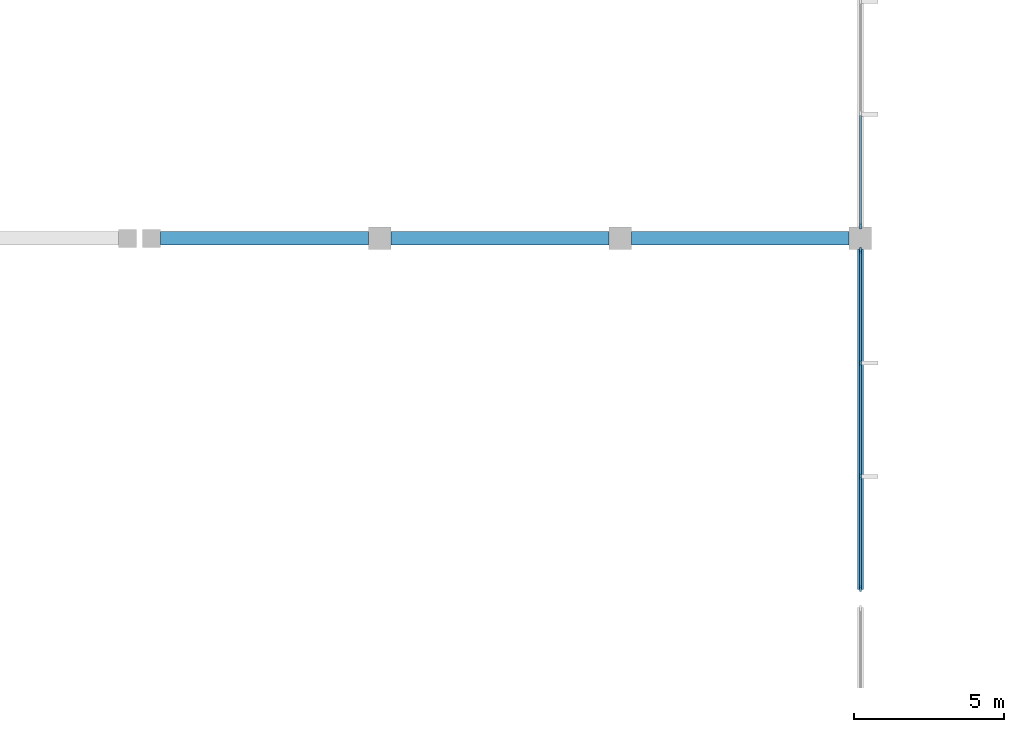
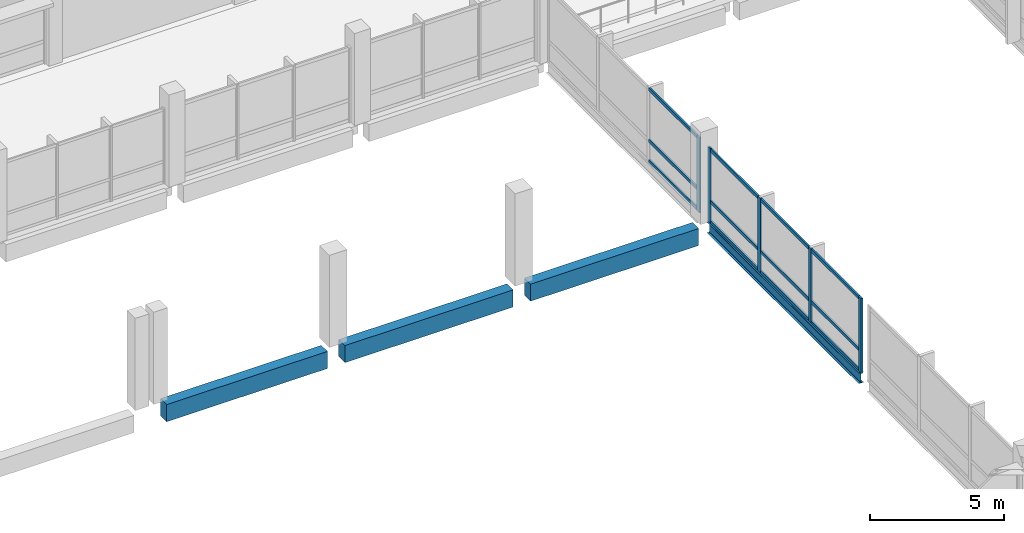
# One storey, part 15 of 70: 17 members, 4 beams, 2 elements without a shape of their own.
"""IFC4 building model written with IfcOpenShell, lengths in metres."""

from ifc_helpers import new_model, si_unit, direction, frame, origin, origin_2d, place, context, subcontext, project, spatial, rectangle, i_section, extrude, material, material_profile, profile_set, type_object, element, aggregate, save


model = new_model("IFC4")

# Units and contexts
model_context = context("Model", 3, precision=1e-05, world=origin(), true_north=direction((0.0, 1.0)))
body_context = subcontext(model_context, "Body", "Model", "MODEL_VIEW")
ifc_project = project(units=[si_unit("LENGTHUNIT", "METRE"), si_unit("AREAUNIT", "SQUARE_METRE"), si_unit("VOLUMEUNIT", "CUBIC_METRE"), si_unit("PLANEANGLEUNIT", "RADIAN"), si_unit("MASSUNIT", "GRAM", prefix="KILO"), si_unit("THERMODYNAMICTEMPERATUREUNIT", "KELVIN"), si_unit("POWERUNIT", "WATT")], contexts=[model_context])

# Site, building, storey
site_placement = place(None, origin())
site = spatial("IfcSite", under=ifc_project, at=site_placement, CompositionType="ELEMENT")
building_placement = place(site_placement, origin())
building = spatial("IfcBuilding", under=site, at=building_placement, Name="Kronsvod Quay Wholesale Market", CompositionType="ELEMENT")
storey_placement = place(building_placement, frame((0.0, 0.0, 9.0)))
storey = spatial("IfcBuildingStorey", under=building, at=storey_placement, Name="L02", CompositionType="ELEMENT", Elevation=9.0)

# Beams
ifc_material_1 = material(Name="Precast concrete C40/50", Category="concrete")
ifc_material_profile_1 = material_profile(ifc_material_1, rectangle(XDim=0.4599609375, YDim=0.780029296875, at=origin_2d()), Name="PB-03")
ifc_profile_set_1 = profile_set([ifc_material_profile_1], Name="Precast concrete C40/50")
beam_type_1 = type_object("IfcBeamType", Name="Beam_PCB460x780", PredefinedType="BEAM", material=ifc_profile_set_1)
beam_1_placement = place(storey_placement, frame((64.699951171875, 78.0, -0.64990234375), z_axis=(1.0, 0.0, 0.0), x_axis=(0.0, 1.0, 0.0)))
element("IfcBeam", 1, at=beam_1_placement, inside=storey, type_object=beam_type_1, Name="BMX-L02-644-780", PredefinedType="BEAM", context=body_context, shape_type="SweptSolid", body=[
    extrude(rectangle(XDim=0.4599609375, YDim=0.780029296875, at=origin_2d()), origin(), (0.0, 0.0, 1.0), 6.925048828125),
])
for number, where, z_axis, x_axis, name in (
    (2, (72.375, 78.0, -0.64990234375), (1.0, 0.0, 0.0), (0.0, 1.0, 0.0), "BMX-L02-720-780"),
    (3, (80.375, 78.0, -0.64990234375), (1.0, 0.0, 0.0), (0.0, 1.0, 0.0), "BMX-L02-800-780"),
):
    element("IfcBeam", number, at=place(storey_placement, frame(where, z_axis=z_axis, x_axis=x_axis)), inside=storey, type_object=beam_type_1, Name=name, PredefinedType="BEAM", context=body_context, shape_type="SweptSolid", body=[
        extrude(rectangle(XDim=0.4599609375, YDim=0.780029296875, at=origin_2d()), origin(), (0.0, 0.0, 1.0), 7.25),
    ])
ifc_material_2 = material(Name="Steel S355", Category="steel")
ifc_material_profile_2 = material_profile(ifc_material_2, i_section(OverallWidth=0.198974609375, OverallDepth=0.49609375, WebThickness=0.009033203125, FlangeThickness=0.013916015625, FilletRadius=0.02001953125, at=origin_2d()), Name="50B1")
ifc_profile_set_2 = profile_set([ifc_material_profile_2], Name="Steel S355")
beam_type_2 = type_object("IfcBeamType", Name="Girder_Steel50B1", PredefinedType="T_BEAM", material=ifc_profile_set_2)
beam_2_placement = place(storey_placement, frame((88.0, 66.300048828125, -0.22802734375), z_axis=(0.0, 1.0, 0.0), x_axis=(-1.0, 0.0, 0.0)))
element("IfcBeam", 4, at=beam_2_placement, inside=storey, type_object=beam_type_2, Name="BMY-L02-880-660", PredefinedType="T_BEAM", context=body_context, shape_type="SweptSolid", body=[
    extrude(i_section(OverallWidth=0.198974609375, OverallDepth=0.49609375, WebThickness=0.009033203125, FlangeThickness=0.013916015625, FilletRadius=0.02001953125, at=origin_2d()), origin(), (0.0, 0.0, 1.0), 11.324951171875),
])

# Curtain wall, members
ifc_material_3 = material(Name="Thermally broken aluminium and triple low-E glazing", Category="aluminium")
curtain_wall_type = type_object("IfcCurtainWallType", Name="CW_Court120x35", PredefinedType="NOTDEFINED", material=ifc_material_3)
curtain_wall_1_placement = place(storey_placement, origin())
curtain_wall_1 = element("IfcCurtainWall", 5, at=curtain_wall_1_placement, inside=storey, type_object=curtain_wall_type, Name="CWGY-L02-880-660", PredefinedType="NOTDEFINED")
ifc_material_4 = material(Name="Anodised aluminium", Category="aluminium")
ifc_material_profile_3 = material_profile(ifc_material_4, rectangle(XDim=0.074951171875, YDim=0.199951171875, at=origin_2d()), Name="ALUM75x200")
ifc_profile_set_3 = profile_set([ifc_material_profile_3], Name="Anodised aluminium")
member_type_1 = type_object("IfcMemberType", Name="Mullion_ALU75x200", PredefinedType="MULLION", material=ifc_profile_set_3)
member_1_placement = place(storey_placement, frame((88.0, 66.33251953125, 0.0), z_axis=(0.0, 0.0, 1.0), x_axis=(1.0, 0.0, 0.0)))
member_1 = element("IfcMember", 6, at=member_1_placement, type_object=member_type_1, Name="CWGY-L02-880-660-M1", PredefinedType="MULLION", context=body_context, shape_type="SweptSolid", body=[
    extrude(rectangle(XDim=0.074951171875, YDim=0.199951171875, at=origin_2d()), origin(), (0.0, 0.0, 1.0), 3.419921875),
])
member_2_placement = place(storey_placement, frame((88.0, 70.0732421875, 0.0), z_axis=(0.0, 0.0, 1.0), x_axis=(1.0, 0.0, 0.0)))
member_2 = element("IfcMember", 7, at=member_2_placement, type_object=member_type_1, Name="CWGY-L02-880-660-M2", PredefinedType="MULLION", context=body_context, shape_type="SweptSolid", body=[
    extrude(rectangle(XDim=0.074951171875, YDim=0.199951171875, at=origin_2d()), origin(), (0.0, 0.0, 1.0), 3.419921875),
])
member_3_placement = place(storey_placement, frame((88.0, 73.8515625, 0.0), z_axis=(0.0, 0.0, 1.0), x_axis=(1.0, 0.0, 0.0)))
member_3 = element("IfcMember", 8, at=member_3_placement, type_object=member_type_1, Name="CWGY-L02-880-660-M3", PredefinedType="MULLION", context=body_context, shape_type="SweptSolid", body=[
    extrude(rectangle(XDim=0.074951171875, YDim=0.199951171875, at=origin_2d()), origin(), (0.0, 0.0, 1.0), 3.419921875),
])
member_4_placement = place(storey_placement, frame((88.0, 77.592529296875, 0.0), z_axis=(0.0, 0.0, 1.0), x_axis=(1.0, 0.0, 0.0)))
member_4 = element("IfcMember", 9, at=member_4_placement, type_object=member_type_1, Name="CWGY-L02-880-660-M4", PredefinedType="MULLION", context=body_context, shape_type="SweptSolid", body=[
    extrude(rectangle(XDim=0.074951171875, YDim=0.199951171875, at=origin_2d()), origin(), (0.0, 0.0, 1.0), 3.419921875),
])

# Curtain wall, member
curtain_wall_2_placement = place(storey_placement, origin())
curtain_wall_2 = element("IfcCurtainWall", 10, at=curtain_wall_2_placement, inside=storey, type_object=curtain_wall_type, Name="CWGY-L02-880-780", PredefinedType="NOTDEFINED")
member_5_placement = place(storey_placement, frame((88.0, 78.407470703125, 0.0), z_axis=(0.0, 0.0, 1.0), x_axis=(1.0, 0.0, 0.0)))
member_5 = element("IfcMember", 11, at=member_5_placement, type_object=member_type_1, Name="CWGY-L02-880-780-M1", PredefinedType="MULLION", context=body_context, shape_type="SweptSolid", body=[
    extrude(rectangle(XDim=0.074951171875, YDim=0.199951171875, at=origin_2d()), origin(), (0.0, 0.0, 1.0), 3.419921875),
])

# Member
ifc_material_5 = material(Name="Anodised aluminium", Category="aluminium")
ifc_material_profile_4 = material_profile(ifc_material_5, rectangle(XDim=0.074951171875, YDim=0.14990234375, at=origin_2d()), Name="ALUT75x150")
ifc_profile_set_4 = profile_set([ifc_material_profile_4], Name="Anodised aluminium")
member_type_2 = type_object("IfcMemberType", Name="Transom_ALU75x150", PredefinedType="USERDEFINED", material=ifc_profile_set_4)
member_6_placement = place(storey_placement, frame((88.0, 66.3701171875, 0.074951171875), z_axis=(0.0, 1.0, 0.0), x_axis=(-1.0, 0.0, 0.0)))
member_6 = element("IfcMember", 12, at=member_6_placement, type_object=member_type_2, Name="CWGY-L02-880-660-T1B1", ObjectType="TRANSOM", PredefinedType="USERDEFINED", context=body_context, shape_type="SweptSolid", body=[
    extrude(rectangle(XDim=0.074951171875, YDim=0.14990234375, at=origin_2d()), origin(), (0.0, 0.0, 1.0), 3.665771484375),
])

member_7_placement = place(storey_placement, frame((88.0, 70.11083984375, 0.074951171875), z_axis=(0.0, 1.0, 0.0), x_axis=(-1.0, 0.0, 0.0)))
member_7 = element("IfcMember", 13, at=member_7_placement, type_object=member_type_2, Name="CWGY-L02-880-660-T1B2", ObjectType="TRANSOM", PredefinedType="USERDEFINED", context=body_context, shape_type="SweptSolid", body=[
    extrude(rectangle(XDim=0.074951171875, YDim=0.14990234375, at=origin_2d()), origin(), (0.0, 0.0, 1.0), 3.703369140625),
])

member_8_placement = place(storey_placement, frame((88.0, 73.88916015625, 0.074951171875), z_axis=(0.0, 1.0, 0.0), x_axis=(-1.0, 0.0, 0.0)))
member_8 = element("IfcMember", 14, at=member_8_placement, type_object=member_type_2, Name="CWGY-L02-880-660-T1B3", ObjectType="TRANSOM", PredefinedType="USERDEFINED", context=body_context, shape_type="SweptSolid", body=[
    extrude(rectangle(XDim=0.074951171875, YDim=0.14990234375, at=origin_2d()), origin(), (0.0, 0.0, 1.0), 3.665771484375),
])

member_9_placement = place(storey_placement, frame((88.0, 66.3701171875, 1.0), z_axis=(0.0, 1.0, 0.0), x_axis=(-1.0, 0.0, 0.0)))
member_9 = element("IfcMember", 15, at=member_9_placement, type_object=member_type_2, Name="CWGY-L02-880-660-T2B1", ObjectType="TRANSOM", PredefinedType="USERDEFINED", context=body_context, shape_type="SweptSolid", body=[
    extrude(rectangle(XDim=0.074951171875, YDim=0.14990234375, at=origin_2d()), origin(), (0.0, 0.0, 1.0), 3.665771484375),
])

member_10_placement = place(storey_placement, frame((88.0, 70.11083984375, 1.0), z_axis=(0.0, 1.0, 0.0), x_axis=(-1.0, 0.0, 0.0)))
member_10 = element("IfcMember", 16, at=member_10_placement, type_object=member_type_2, Name="CWGY-L02-880-660-T2B2", ObjectType="TRANSOM", PredefinedType="USERDEFINED", context=body_context, shape_type="SweptSolid", body=[
    extrude(rectangle(XDim=0.074951171875, YDim=0.14990234375, at=origin_2d()), origin(), (0.0, 0.0, 1.0), 3.703369140625),
])

member_11_placement = place(storey_placement, frame((88.0, 73.88916015625, 1.0), z_axis=(0.0, 1.0, 0.0), x_axis=(-1.0, 0.0, 0.0)))
member_11 = element("IfcMember", 17, at=member_11_placement, type_object=member_type_2, Name="CWGY-L02-880-660-T2B3", ObjectType="TRANSOM", PredefinedType="USERDEFINED", context=body_context, shape_type="SweptSolid", body=[
    extrude(rectangle(XDim=0.074951171875, YDim=0.14990234375, at=origin_2d()), origin(), (0.0, 0.0, 1.0), 3.665771484375),
])

member_12_placement = place(storey_placement, frame((88.0, 66.3701171875, 3.344970703125), z_axis=(0.0, 1.0, 0.0), x_axis=(-1.0, 0.0, 0.0)))
member_12 = element("IfcMember", 18, at=member_12_placement, type_object=member_type_2, Name="CWGY-L02-880-660-T3B1", ObjectType="TRANSOM", PredefinedType="USERDEFINED", context=body_context, shape_type="SweptSolid", body=[
    extrude(rectangle(XDim=0.074951171875, YDim=0.14990234375, at=origin_2d()), origin(), (0.0, 0.0, 1.0), 3.665771484375),
])

member_13_placement = place(storey_placement, frame((88.0, 70.11083984375, 3.344970703125), z_axis=(0.0, 1.0, 0.0), x_axis=(-1.0, 0.0, 0.0)))
member_13 = element("IfcMember", 19, at=member_13_placement, type_object=member_type_2, Name="CWGY-L02-880-660-T3B2", ObjectType="TRANSOM", PredefinedType="USERDEFINED", context=body_context, shape_type="SweptSolid", body=[
    extrude(rectangle(XDim=0.074951171875, YDim=0.14990234375, at=origin_2d()), origin(), (0.0, 0.0, 1.0), 3.703369140625),
])

member_14_placement = place(storey_placement, frame((88.0, 73.88916015625, 3.344970703125), z_axis=(0.0, 1.0, 0.0), x_axis=(-1.0, 0.0, 0.0)))
member_14 = element("IfcMember", 20, at=member_14_placement, type_object=member_type_2, Name="CWGY-L02-880-660-T3B3", ObjectType="TRANSOM", PredefinedType="USERDEFINED", context=body_context, shape_type="SweptSolid", body=[
    extrude(rectangle(XDim=0.074951171875, YDim=0.14990234375, at=origin_2d()), origin(), (0.0, 0.0, 1.0), 3.665771484375),
])

aggregate(curtain_wall_1, [member_1, member_2, member_3, member_4, member_6, member_7, member_8, member_9, member_10, member_11, member_12, member_13, member_14])

member_15_placement = place(storey_placement, frame((88.0, 78.445068359375, 0.074951171875), z_axis=(0.0, 1.0, 0.0), x_axis=(-1.0, 0.0, 0.0)))
member_15 = element("IfcMember", 21, at=member_15_placement, type_object=member_type_2, Name="CWGY-L02-880-780-T1B1", ObjectType="TRANSOM", PredefinedType="USERDEFINED", context=body_context, shape_type="SweptSolid", body=[
    extrude(rectangle(XDim=0.074951171875, YDim=0.14990234375, at=origin_2d()), origin(), (0.0, 0.0, 1.0), 3.649169921875),
])

member_16_placement = place(storey_placement, frame((88.0, 78.445068359375, 1.0), z_axis=(0.0, 1.0, 0.0), x_axis=(-1.0, 0.0, 0.0)))
member_16 = element("IfcMember", 22, at=member_16_placement, type_object=member_type_2, Name="CWGY-L02-880-780-T2B1", ObjectType="TRANSOM", PredefinedType="USERDEFINED", context=body_context, shape_type="SweptSolid", body=[
    extrude(rectangle(XDim=0.074951171875, YDim=0.14990234375, at=origin_2d()), origin(), (0.0, 0.0, 1.0), 3.649169921875),
])

member_17_placement = place(storey_placement, frame((88.0, 78.445068359375, 3.344970703125), z_axis=(0.0, 1.0, 0.0), x_axis=(-1.0, 0.0, 0.0)))
member_17 = element("IfcMember", 23, at=member_17_placement, type_object=member_type_2, Name="CWGY-L02-880-780-T3B1", ObjectType="TRANSOM", PredefinedType="USERDEFINED", context=body_context, shape_type="SweptSolid", body=[
    extrude(rectangle(XDim=0.074951171875, YDim=0.14990234375, at=origin_2d()), origin(), (0.0, 0.0, 1.0), 3.649169921875),
])

aggregate(curtain_wall_2, [member_5, member_15, member_16, member_17])

save(model, "model.ifc")
